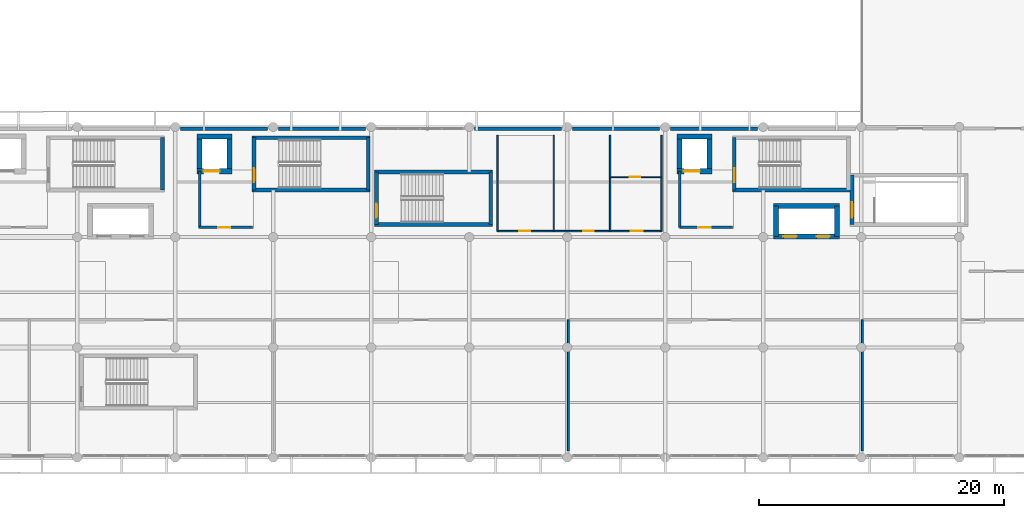
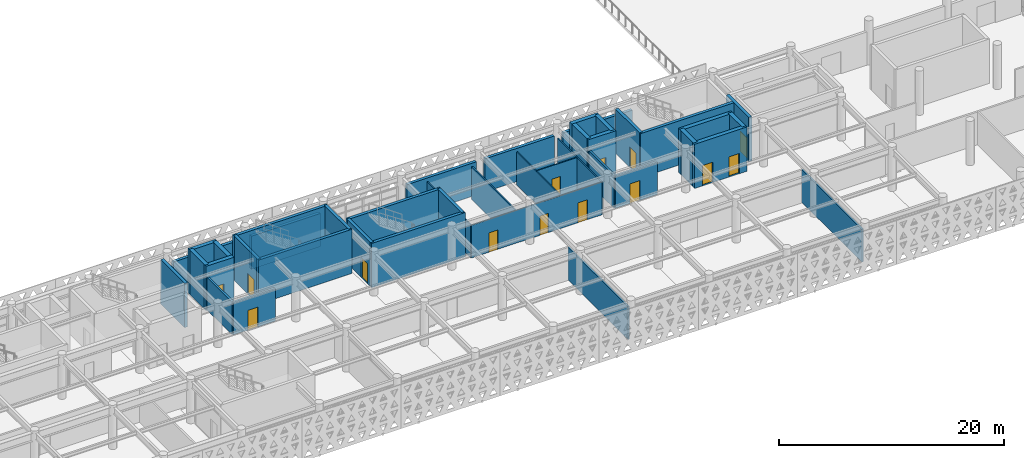
# One storey, part 23 of 33: 41 walls, 14 doors, 14 openings.
"""IFC4 building model written with IfcOpenShell, lengths in metres."""

from ifc_helpers import new_model, si_unit, direction, frame, frame_2d, origin, place, context, subcontext, project, spatial, rectangle, extrude, material, layer, layer_set, type_object, element, fill, save


model = new_model("IFC4")

# Units and contexts
model_context = context("Model", 3, precision=1e-05, world=origin(), true_north=direction((0.0, 1.0)))
body_context = subcontext(model_context, "Body", "Model", "MODEL_VIEW")
ifc_project = project(units=[si_unit("LENGTHUNIT", "METRE"), si_unit("AREAUNIT", "SQUARE_METRE"), si_unit("VOLUMEUNIT", "CUBIC_METRE"), si_unit("PLANEANGLEUNIT", "RADIAN"), si_unit("MASSUNIT", "GRAM", prefix="KILO")], contexts=[model_context])

# Site, building, storey
site_placement = place(None, origin())
site = spatial("IfcSite", under=ifc_project, at=site_placement, CompositionType="ELEMENT")
building_placement = place(site_placement, origin())
building = spatial("IfcBuilding", under=site, at=building_placement, Name="Tlacozan Convention Centre", CompositionType="ELEMENT")
storey_placement = place(building_placement, frame((0.0, 0.0, 16.199951171875)))
storey = spatial("IfcBuildingStorey", under=building, at=storey_placement, Name="L03", CompositionType="ELEMENT", Elevation=16.199951171875)

# Walls
ifc_material_1 = material(Name="Volcanic Cantera Stone Masonry", Category="masonry")
ifc_layer_1 = layer(ifc_material_1, 0.300048828125)
ifc_layer_set_1 = layer_set([ifc_layer_1], Name="Volcanic Cantera Stone Masonry")
wall_type_1 = type_object("IfcWallType", Name="Congress Spandrel Backup Wall 300", PredefinedType="SOLIDWALL", material=ifc_layer_set_1)
for number, where, z_axis, x_axis, name in (
    (1, (32.449951171875, 26.840087890625, 0.0), (0.0, 0.0, 1.0), (1.0, 0.0, 0.0), "L03 Congress Spandrel Backup Wall 300 128"),
    (2, (40.449951171875, 26.840087890625, 0.0), (0.0, 0.0, 1.0), (1.0, 0.0, 0.0), "L03 Congress Spandrel Backup Wall 300 129"),
    (3, (56.449951171875, 26.840087890625, 0.0), (0.0, 0.0, 1.0), (1.0, 0.0, 0.0), "L03 Congress Spandrel Backup Wall 300 130"),
    (4, (64.449951171875, 26.840087890625, 0.0), (0.0, 0.0, 1.0), (1.0, 0.0, 0.0), "L03 Congress Spandrel Backup Wall 300 131"),
    (5, (72.449951171875, 26.840087890625, 0.0), (0.0, 0.0, 1.0), (1.0, 0.0, 0.0), "L03 Congress Spandrel Backup Wall 300 132"),
):
    element("IfcWall", number, at=place(storey_placement, frame(where, z_axis=z_axis, x_axis=x_axis)), inside=storey, type_object=wall_type_1, Name=name, PredefinedType="SOLIDWALL", context=body_context, shape_type="SweptSolid", body=[
        extrude(rectangle(XDim=7.10009765625, YDim=0.300048828125, at=frame_2d((3.550048828125, 0.0))), origin(), (0.0, 0.0, 1.0), 3.60009765625),
    ])

# Wall, opening, door
ifc_material_2 = material(Name="Concrete C40/50", Category="concrete")
ifc_layer_2 = layer(ifc_material_2, 0.409912109375)
ifc_layer_set_2 = layer_set([ifc_layer_2], Name="Concrete C40/50")
wall_type_2 = type_object("IfcWallType", Name="Core Shear Wall RC 410", PredefinedType="SHEAR", material=ifc_layer_set_2)
wall_1_placement = place(storey_placement, frame((72.97509765625, 23.3798828125, 0.0), z_axis=(0.0, 0.0, 1.0), x_axis=(1.0, 0.0, 0.0)))
wall_1 = element("IfcWall", 6, at=wall_1_placement, inside=storey, type_object=wall_type_2, Name="L03 Core Shear Wall RC 410 147", PredefinedType="SHEAR", context=body_context, shape_type="SweptSolid", body=[
    extrude(rectangle(XDim=2.849853515625, YDim=0.409912109375, at=frame_2d((1.4248046875, 0.0))), origin(), (0.0, 0.0, 1.0), 4.800048828125),
])
opening_1_placement = place(wall_1_placement, frame((0.550048828125, 0.0, 0.0)))
opening_1 = element("IfcOpeningElement", 7, at=opening_1_placement, cuts=wall_1, Name="Opening LD-02", PredefinedType="OPENING", context=body_context, shape_type="SweptSolid", body=[
    extrude(rectangle(XDim=1.300048828125, YDim=2.25, at=frame_2d((0.64990234375, 1.125))), frame((0.0, 0.21484375, 0.0), z_axis=(0.0, -1.0, 0.0), x_axis=(1.0, 0.0, 0.0)), (0.0, 0.0, 1.0), 0.429931640625),
])
ifc_material_3 = material(Name="Brushed Stainless Steel Sliding Landing Door", Category="steel")
door_type_1 = type_object("IfcDoorType", Name="Firefighting Lift Sliding Door 1300x2250", OperationType="DOUBLE_DOOR_SLIDING", PredefinedType="DOOR", material=ifc_material_3)
door_1_placement = place(opening_1_placement, origin())
door_1 = element("IfcDoor", 8, at=door_1_placement, inside=storey, type_object=door_type_1, Name="L03 Firefighting Lift FL-02 Landing Door", OperationType="DOUBLE_DOOR_SLIDING", OverallHeight=2.25, OverallWidth=1.300048828125, PredefinedType="DOOR", context=body_context, shape_type="SweptSolid", body=[
    extrude(rectangle(XDim=1.300048828125, YDim=2.25, at=frame_2d((0.64990234375, 1.125))), frame((0.0, 0.02490234375, 0.0), z_axis=(0.0, -1.0, 0.0), x_axis=(1.0, 0.0, 0.0)), (0.0, 0.0, 1.0), 0.050048828125),
])
fill(opening_1, door_1)

# Walls
wall_2_placement = place(storey_placement, frame((72.97509765625, 26.219970703125, 0.0), z_axis=(0.0, 0.0, 1.0), x_axis=(1.0, 0.0, 0.0)))
element("IfcWall", 9, at=wall_2_placement, inside=storey, type_object=wall_type_2, Name="L03 Core Shear Wall RC 410 148", PredefinedType="SHEAR", context=body_context, shape_type="SweptSolid", body=[
    extrude(rectangle(XDim=2.849853515625, YDim=0.409912109375, at=frame_2d((1.4248046875, 0.0))), origin(), (0.0, 0.0, 1.0), 4.800048828125),
])
for number, where, z_axis, x_axis, name in (
    (10, (73.179931640625, 23.3798828125, 0.0), (0.0, 0.0, 1.0), (0.0, 1.0, 0.0), "L03 Core Shear Wall RC 410 149"),
    (11, (75.6201171875, 23.3798828125, 0.0), (0.0, 0.0, 1.0), (0.0, 1.0, 0.0), "L03 Core Shear Wall RC 410 150"),
):
    element("IfcWall", number, at=place(storey_placement, frame(where, z_axis=z_axis, x_axis=x_axis)), inside=storey, type_object=wall_type_2, Name=name, PredefinedType="SHEAR", context=body_context, shape_type="SweptSolid", body=[
        extrude(rectangle(XDim=2.840087890625, YDim=0.409912109375, at=frame_2d((1.419921875, 0.0))), origin(), (0.0, 0.0, 1.0), 4.800048828125),
    ])

# Wall, openings, doors
wall_3_placement = place(storey_placement, frame((80.85498046875, 18.06005859375, 0.0), z_axis=(0.0, 0.0, 1.0), x_axis=(1.0, 0.0, 0.0)))
wall_3 = element("IfcWall", 12, at=wall_3_placement, inside=storey, type_object=wall_type_2, Name="L03 Core Shear Wall RC 410 151", PredefinedType="SHEAR", context=body_context, shape_type="SweptSolid", body=[
    extrude(rectangle(XDim=5.39013671875, YDim=0.409912109375, at=frame_2d((2.695068359375, 0.0))), origin(), (0.0, 0.0, 1.0), 4.800048828125),
])
opening_2_placement = place(wall_3_placement, frame((0.794921875, 0.0, 0.0)))
opening_2 = element("IfcOpeningElement", 13, at=opening_2_placement, cuts=wall_3, Name="Opening LD-01", PredefinedType="OPENING", context=body_context, shape_type="SweptSolid", body=[
    extrude(rectangle(XDim=1.10009765625, YDim=2.199951171875, at=frame_2d((0.550048828125, 1.10009765625))), frame((0.0, 0.21484375, 0.0), z_axis=(0.0, -1.0, 0.0), x_axis=(1.0, 0.0, 0.0)), (0.0, 0.0, 1.0), 0.429931640625),
])
opening_3_placement = place(wall_3_placement, frame((3.4951171875, 0.0, 0.0)))
opening_3 = element("IfcOpeningElement", 14, at=opening_3_placement, cuts=wall_3, Name="Opening LD-01", PredefinedType="OPENING", context=body_context, shape_type="SweptSolid", body=[
    extrude(rectangle(XDim=1.10009765625, YDim=2.199951171875, at=frame_2d((0.550048828125, 1.10009765625))), frame((0.0, 0.21484375, 0.0), z_axis=(0.0, -1.0, 0.0), x_axis=(1.0, 0.0, 0.0)), (0.0, 0.0, 1.0), 0.429931640625),
])
door_type_2 = type_object("IfcDoorType", Name="Lift Sliding Landing Door 1100x2200", OperationType="DOUBLE_DOOR_SLIDING", PredefinedType="DOOR", material=ifc_material_3)
door_2_placement = place(opening_2_placement, origin())
door_2 = element("IfcDoor", 15, at=door_2_placement, inside=storey, type_object=door_type_2, Name="L03 Lift PL-03 Landing Door", OperationType="DOUBLE_DOOR_SLIDING", OverallHeight=2.199951171875, OverallWidth=1.10009765625, PredefinedType="DOOR", context=body_context, shape_type="SweptSolid", body=[
    extrude(rectangle(XDim=1.10009765625, YDim=2.199951171875, at=frame_2d((0.550048828125, 1.10009765625))), frame((0.0, 0.02490234375, 0.0), z_axis=(0.0, -1.0, 0.0), x_axis=(1.0, 0.0, 0.0)), (0.0, 0.0, 1.0), 0.050048828125),
])
fill(opening_2, door_2)
door_3_placement = place(opening_3_placement, origin())
door_3 = element("IfcDoor", 16, at=door_3_placement, inside=storey, type_object=door_type_2, Name="L03 Lift PL-04 Landing Door", OperationType="DOUBLE_DOOR_SLIDING", OverallHeight=2.199951171875, OverallWidth=1.10009765625, PredefinedType="DOOR", context=body_context, shape_type="SweptSolid", body=[
    extrude(rectangle(XDim=1.10009765625, YDim=2.199951171875, at=frame_2d((0.550048828125, 1.10009765625))), frame((0.0, 0.02490234375, 0.0), z_axis=(0.0, -1.0, 0.0), x_axis=(1.0, 0.0, 0.0)), (0.0, 0.0, 1.0), 0.050048828125),
])
fill(opening_3, door_3)

# Walls
wall_4_placement = place(storey_placement, frame((80.85498046875, 20.5400390625, 0.0), z_axis=(0.0, 0.0, 1.0), x_axis=(1.0, 0.0, 0.0)))
element("IfcWall", 17, at=wall_4_placement, inside=storey, type_object=wall_type_2, Name="L03 Core Shear Wall RC 410 152", PredefinedType="SHEAR", context=body_context, shape_type="SweptSolid", body=[
    extrude(rectangle(XDim=5.39013671875, YDim=0.409912109375, at=frame_2d((2.695068359375, 0.0))), origin(), (0.0, 0.0, 1.0), 4.800048828125),
])
for number, where, z_axis, x_axis, name in (
    (18, (81.06005859375, 18.06005859375, 0.0), (0.0, 0.0, 1.0), (0.0, 1.0, 0.0), "L03 Core Shear Wall RC 410 153"),
    (19, (86.0400390625, 18.06005859375, 0.0), (0.0, 0.0, 1.0), (0.0, 1.0, 0.0), "L03 Core Shear Wall RC 410 154"),
):
    element("IfcWall", number, at=place(storey_placement, frame(where, z_axis=z_axis, x_axis=x_axis)), inside=storey, type_object=wall_type_2, Name=name, PredefinedType="SHEAR", context=body_context, shape_type="SweptSolid", body=[
        extrude(rectangle(XDim=2.47998046875, YDim=0.409912109375, at=frame_2d((1.239990234375, 0.0))), origin(), (0.0, 0.0, 1.0), 4.800048828125),
    ])

# Wall, opening, door
wall_5_placement = place(storey_placement, frame((33.77490234375, 23.3798828125, 0.0), z_axis=(0.0, 0.0, 1.0), x_axis=(1.0, 0.0, 0.0)))
wall_5 = element("IfcWall", 20, at=wall_5_placement, inside=storey, type_object=wall_type_2, Name="L03 Core Shear Wall RC 410 215", PredefinedType="SHEAR", context=body_context, shape_type="SweptSolid", body=[
    extrude(rectangle(XDim=2.85009765625, YDim=0.409912109375, at=frame_2d((1.425048828125, 0.0))), origin(), (0.0, 0.0, 1.0), 4.800048828125),
])
opening_4_placement = place(wall_5_placement, frame((0.550048828125, 0.0, 0.0)))
opening_4 = element("IfcOpeningElement", 21, at=opening_4_placement, cuts=wall_5, Name="Opening LD-02", PredefinedType="OPENING", context=body_context, shape_type="SweptSolid", body=[
    extrude(rectangle(XDim=1.300048828125, YDim=2.25, at=frame_2d((0.64990234375, 1.125))), frame((0.0, 0.21484375, 0.0), z_axis=(0.0, -1.0, 0.0), x_axis=(1.0, 0.0, 0.0)), (0.0, 0.0, 1.0), 0.429931640625),
])
door_4_placement = place(opening_4_placement, origin())
door_4 = element("IfcDoor", 22, at=door_4_placement, inside=storey, type_object=door_type_1, Name="L03 Firefighting Lift FL-03 Landing Door", OperationType="DOUBLE_DOOR_SLIDING", OverallHeight=2.25, OverallWidth=1.300048828125, PredefinedType="DOOR", context=body_context, shape_type="SweptSolid", body=[
    extrude(rectangle(XDim=1.300048828125, YDim=2.25, at=frame_2d((0.64990234375, 1.125))), frame((0.0, 0.02490234375, 0.0), z_axis=(0.0, -1.0, 0.0), x_axis=(1.0, 0.0, 0.0)), (0.0, 0.0, 1.0), 0.050048828125),
])
fill(opening_4, door_4)

# Walls
wall_6_placement = place(storey_placement, frame((33.77490234375, 26.219970703125, 0.0), z_axis=(0.0, 0.0, 1.0), x_axis=(1.0, 0.0, 0.0)))
element("IfcWall", 23, at=wall_6_placement, inside=storey, type_object=wall_type_2, Name="L03 Core Shear Wall RC 410 216", PredefinedType="SHEAR", context=body_context, shape_type="SweptSolid", body=[
    extrude(rectangle(XDim=2.85009765625, YDim=0.409912109375, at=frame_2d((1.425048828125, 0.0))), origin(), (0.0, 0.0, 1.0), 4.800048828125),
])
for number, where, z_axis, x_axis, name in (
    (24, (33.97998046875, 23.3798828125, 0.0), (0.0, 0.0, 1.0), (0.0, 1.0, 0.0), "L03 Core Shear Wall RC 410 217"),
    (25, (36.419921875, 23.3798828125, 0.0), (0.0, 0.0, 1.0), (0.0, 1.0, 0.0), "L03 Core Shear Wall RC 410 218"),
):
    element("IfcWall", number, at=place(storey_placement, frame(where, z_axis=z_axis, x_axis=x_axis)), inside=storey, type_object=wall_type_2, Name=name, PredefinedType="SHEAR", context=body_context, shape_type="SweptSolid", body=[
        extrude(rectangle(XDim=2.840087890625, YDim=0.409912109375, at=frame_2d((1.419921875, 0.0))), origin(), (0.0, 0.0, 1.0), 4.800048828125),
    ])

# Wall, opening, door
ifc_material_4 = material(Name="Fire-Rated Gypsum Stud Partition Assembly")
ifc_layer_3 = layer(ifc_material_4, 0.2099609375)
ifc_layer_set_3 = layer_set([ifc_layer_3], Name="Fire-Rated Gypsum Stud Partition Assembly")
wall_type_3 = type_object("IfcWallType", Name="Firefighting Lobby Rated Wall 210", PredefinedType="PARTITIONING", material=ifc_layer_set_3)
wall_7_placement = place(storey_placement, frame((73.199951171875, 18.800048828125, 0.0), z_axis=(0.0, 0.0, 1.0), x_axis=(1.0, 0.0, 0.0)))
wall_7 = element("IfcWall", 26, at=wall_7_placement, inside=storey, type_object=wall_type_3, Name="L03 Firefighting Lobby Rated Wall 210 145", PredefinedType="PARTITIONING", context=body_context, shape_type="SweptSolid", body=[
    extrude(rectangle(XDim=4.300048828125, YDim=0.2099609375, at=frame_2d((2.14990234375, 0.0))), origin(), (0.0, 0.0, 1.0), 3.550048828125),
])
opening_5_placement = place(wall_7_placement, frame((1.5, 0.0, 0.0)))
opening_5 = element("IfcOpeningElement", 27, at=opening_5_placement, cuts=wall_7, Name="Opening FD-01", PredefinedType="OPENING", context=body_context, shape_type="SweptSolid", body=[
    extrude(rectangle(XDim=1.0, YDim=2.14990234375, at=frame_2d((0.5, 1.074951171875))), frame((0.0, 0.114990234375, 0.0), z_axis=(0.0, -1.0, 0.0), x_axis=(1.0, 0.0, 0.0)), (0.0, 0.0, 1.0), 0.22998046875),
])
ifc_material_5 = material(Name="Fire-Rated Insulated Steel Door Leaf", Category="steel")
door_type_3 = type_object("IfcDoorType", Name="Fire Door Single 1000x2150 FD90", OperationType="NOTDEFINED", PredefinedType="DOOR", material=ifc_material_5)
door_5_placement = place(opening_5_placement, origin())
door_5 = element("IfcDoor", 28, at=door_5_placement, inside=storey, type_object=door_type_3, Name="L03 CORE-2 Firefighting Lobby Entry Door", OperationType="SINGLE_SWING_LEFT", OverallHeight=2.14990234375, OverallWidth=1.0, PredefinedType="DOOR", context=body_context, shape_type="SweptSolid", body=[
    extrude(rectangle(XDim=1.0, YDim=2.14990234375, at=frame_2d((0.5, 1.074951171875))), frame((0.0, 0.02490234375, 0.0), z_axis=(0.0, -1.0, 0.0), x_axis=(1.0, 0.0, 0.0)), (0.0, 0.0, 1.0), 0.050048828125),
])
fill(opening_5, door_5)

# Wall
wall_8_placement = place(storey_placement, frame((73.199951171875, 18.800048828125, 0.0), z_axis=(0.0, 0.0, 1.0), x_axis=(0.0, 1.0, 0.0)))
element("IfcWall", 29, at=wall_8_placement, inside=storey, type_object=wall_type_3, Name="L03 Firefighting Lobby Rated Wall 210 146", PredefinedType="PARTITIONING", context=body_context, shape_type="SweptSolid", body=[
    extrude(rectangle(XDim=4.599853515625, YDim=0.2099609375, at=frame_2d((2.2998046875, 0.0))), origin(), (0.0, 0.0, 1.0), 3.550048828125),
])

# Wall, opening, door
wall_9_placement = place(storey_placement, frame((34.0, 18.800048828125, 0.0), z_axis=(0.0, 0.0, 1.0), x_axis=(1.0, 0.0, 0.0)))
wall_9 = element("IfcWall", 30, at=wall_9_placement, inside=storey, type_object=wall_type_3, Name="L03 Firefighting Lobby Rated Wall 210 213", PredefinedType="PARTITIONING", context=body_context, shape_type="SweptSolid", body=[
    extrude(rectangle(XDim=4.300048828125, YDim=0.2099609375, at=frame_2d((2.14990234375, 0.0))), origin(), (0.0, 0.0, 1.0), 3.550048828125),
])
opening_6_placement = place(wall_9_placement, frame((1.5, 0.0, 0.0)))
opening_6 = element("IfcOpeningElement", 31, at=opening_6_placement, cuts=wall_9, Name="Opening FD-01", PredefinedType="OPENING", context=body_context, shape_type="SweptSolid", body=[
    extrude(rectangle(XDim=1.0, YDim=2.14990234375, at=frame_2d((0.5, 1.074951171875))), frame((0.0, 0.114990234375, 0.0), z_axis=(0.0, -1.0, 0.0), x_axis=(1.0, 0.0, 0.0)), (0.0, 0.0, 1.0), 0.22998046875),
])
door_6_placement = place(opening_6_placement, origin())
door_6 = element("IfcDoor", 32, at=door_6_placement, inside=storey, type_object=door_type_3, Name="L03 CORE-3 Firefighting Lobby Entry Door", OperationType="SINGLE_SWING_LEFT", OverallHeight=2.14990234375, OverallWidth=1.0, PredefinedType="DOOR", context=body_context, shape_type="SweptSolid", body=[
    extrude(rectangle(XDim=1.0, YDim=2.14990234375, at=frame_2d((0.5, 1.074951171875))), frame((0.0, 0.02490234375, 0.0), z_axis=(0.0, -1.0, 0.0), x_axis=(1.0, 0.0, 0.0)), (0.0, 0.0, 1.0), 0.050048828125),
])
fill(opening_6, door_6)

# Walls
wall_10_placement = place(storey_placement, frame((34.0, 18.800048828125, 0.0), z_axis=(0.0, 0.0, 1.0), x_axis=(0.0, 1.0, 0.0)))
element("IfcWall", 33, at=wall_10_placement, inside=storey, type_object=wall_type_3, Name="L03 Firefighting Lobby Rated Wall 210 214", PredefinedType="PARTITIONING", context=body_context, shape_type="SweptSolid", body=[
    extrude(rectangle(XDim=4.599853515625, YDim=0.2099609375, at=frame_2d((2.2998046875, 0.0))), origin(), (0.0, 0.0, 1.0), 3.550048828125),
])
ifc_material_6 = material(Name="Acoustic Double-Stud Partition Assembly")
ifc_layer_4 = layer(ifc_material_6, 0.159912109375)
ifc_layer_set_4 = layer_set([ifc_layer_4], Name="Acoustic Double-Stud Partition Assembly")
wall_type_4 = type_object("IfcWallType", Name="Meeting Acoustic Partition 160", PredefinedType="PARTITIONING", material=ifc_layer_set_4)
for number, where, z_axis, x_axis, name in (
    (34, (64.10009765625, 0.550048828125, 0.0), (0.0, 0.0, 1.0), (0.0, 1.0, 0.0), "L03 Meeting Acoustic Partition 160 604"),
    (35, (88.10009765625, 0.550048828125, 0.0), (0.0, 0.0, 1.0), (0.0, 1.0, 0.0), "L03 Meeting Acoustic Partition 160 605"),
):
    element("IfcWall", number, at=place(storey_placement, frame(where, z_axis=z_axis, x_axis=x_axis)), inside=storey, type_object=wall_type_4, Name=name, PredefinedType="PARTITIONING", context=body_context, shape_type="SweptSolid", body=[
        extrude(rectangle(XDim=10.699951171875, YDim=0.159912109375, at=frame_2d((5.35009765625, 0.0))), origin(), (0.0, 0.0, 1.0), 3.550048828125),
    ])

# Wall, openings, doors
ifc_layer_5 = layer(ifc_material_6, 0.1201171875)
ifc_layer_set_5 = layer_set([ifc_layer_5], Name="Acoustic Double-Stud Partition Assembly")
wall_type_5 = type_object("IfcWallType", Name="Sanitary Tile Partition 120", PredefinedType="PARTITIONING", material=ifc_layer_set_5)
wall_11_placement = place(storey_placement, frame((58.300048828125, 18.5, 0.0), z_axis=(0.0, 0.0, 1.0), x_axis=(1.0, 0.0, 0.0)))
wall_11 = element("IfcWall", 36, at=wall_11_placement, inside=storey, type_object=wall_type_5, Name="L03 Sanitary Tile Partition 120 549", PredefinedType="PARTITIONING", context=body_context, shape_type="SweptSolid", body=[
    extrude(rectangle(XDim=13.39990234375, YDim=0.1201171875, at=frame_2d((6.699951171875, 0.0))), origin(), (0.0, 0.0, 1.0), 3.550048828125),
])
opening_7_placement = place(wall_11_placement, frame((1.800048828125, 0.0, 0.0)))
opening_7 = element("IfcOpeningElement", 37, at=opening_7_placement, cuts=wall_11, Name="Opening ID-05", PredefinedType="OPENING", context=body_context, shape_type="SweptSolid", body=[
    extrude(rectangle(XDim=0.8798828125, YDim=2.10009765625, at=frame_2d((0.43994140625, 1.050048828125))), frame((0.0, 0.070068359375, 0.0), z_axis=(0.0, -1.0, 0.0), x_axis=(1.0, 0.0, 0.0)), (0.0, 0.0, 1.0), 0.14013671875),
])
opening_8_placement = place(wall_11_placement, frame((7.0, 0.0, 0.0)))
opening_8 = element("IfcOpeningElement", 38, at=opening_8_placement, cuts=wall_11, Name="Opening ID-05", PredefinedType="OPENING", context=body_context, shape_type="SweptSolid", body=[
    extrude(rectangle(XDim=0.8798828125, YDim=2.10009765625, at=frame_2d((0.43994140625, 1.050048828125))), frame((0.0, 0.070068359375, 0.0), z_axis=(0.0, -1.0, 0.0), x_axis=(1.0, 0.0, 0.0)), (0.0, 0.0, 1.0), 0.14013671875),
])
opening_9_placement = place(wall_11_placement, frame((10.89990234375, 0.0, 0.0)))
opening_9 = element("IfcOpeningElement", 39, at=opening_9_placement, cuts=wall_11, Name="Opening ID-04", PredefinedType="OPENING", context=body_context, shape_type="SweptSolid", body=[
    extrude(rectangle(XDim=0.97998046875, YDim=2.14990234375, at=frame_2d((0.489990234375, 1.074951171875))), frame((0.0, 0.070068359375, 0.0), z_axis=(0.0, -1.0, 0.0), x_axis=(1.0, 0.0, 0.0)), (0.0, 0.0, 1.0), 0.14013671875),
])
ifc_material_7 = material(Name="Acoustic Solid-Core Oak Veneer Door")
door_type_4 = type_object("IfcDoorType", Name="Accessible Restroom Door 980x2150", OperationType="NOTDEFINED", PredefinedType="DOOR", material=ifc_material_7)
door_7_placement = place(opening_9_placement, origin())
door_7 = element("IfcDoor", 40, at=door_7_placement, inside=storey, type_object=door_type_4, Name="L03 Accessible Restroom Door", OperationType="SINGLE_SWING_LEFT", OverallHeight=2.14990234375, OverallWidth=0.97998046875, PredefinedType="DOOR", context=body_context, shape_type="SweptSolid", body=[
    extrude(rectangle(XDim=0.97998046875, YDim=2.14990234375, at=frame_2d((0.489990234375, 1.074951171875))), frame((0.0, 0.02490234375, 0.0), z_axis=(0.0, -1.0, 0.0), x_axis=(1.0, 0.0, 0.0)), (0.0, 0.0, 1.0), 0.050048828125),
])
fill(opening_9, door_7)
door_type_5 = type_object("IfcDoorType", Name="Restroom Single Door 880x2100", OperationType="NOTDEFINED", PredefinedType="DOOR", material=ifc_material_7)
door_8_placement = place(opening_7_placement, origin())
door_8 = element("IfcDoor", 41, at=door_8_placement, inside=storey, type_object=door_type_5, Name="L03 Male Restroom Door", OperationType="SINGLE_SWING_LEFT", OverallHeight=2.10009765625, OverallWidth=0.8798828125, PredefinedType="DOOR", context=body_context, shape_type="SweptSolid", body=[
    extrude(rectangle(XDim=0.8798828125, YDim=2.10009765625, at=frame_2d((0.43994140625, 1.050048828125))), frame((0.0, 0.02490234375, 0.0), z_axis=(0.0, -1.0, 0.0), x_axis=(1.0, 0.0, 0.0)), (0.0, 0.0, 1.0), 0.050048828125),
])
fill(opening_7, door_8)
door_9_placement = place(opening_8_placement, origin())
door_9 = element("IfcDoor", 42, at=door_9_placement, inside=storey, type_object=door_type_5, Name="L03 Female Restroom Door", OperationType="SINGLE_SWING_RIGHT", OverallHeight=2.10009765625, OverallWidth=0.8798828125, PredefinedType="DOOR", context=body_context, shape_type="SweptSolid", body=[
    extrude(rectangle(XDim=0.8798828125, YDim=2.10009765625, at=frame_2d((0.43994140625, 1.050048828125))), frame((0.0, 0.02490234375, 0.0), z_axis=(0.0, -1.0, 0.0), x_axis=(1.0, 0.0, 0.0)), (0.0, 0.0, 1.0), 0.050048828125),
])
fill(opening_8, door_9)

# Walls
for number, where, z_axis, x_axis, name in (
    (43, (58.300048828125, 18.5, 0.0), (0.0, 0.0, 1.0), (0.0, 1.0, 0.0), "L03 Sanitary Tile Partition 120 550"),
    (44, (62.89990234375, 18.5, 0.0), (0.0, 0.0, 1.0), (0.0, 1.0, 0.0), "L03 Sanitary Tile Partition 120 551"),
    (45, (67.5, 18.5, 0.0), (0.0, 0.0, 1.0), (0.0, 1.0, 0.0), "L03 Sanitary Tile Partition 120 552"),
    (46, (71.699951171875, 18.5, 0.0), (0.0, 0.0, 1.0), (0.0, 1.0, 0.0), "L03 Sanitary Tile Partition 120 553"),
):
    element("IfcWall", number, at=place(storey_placement, frame(where, z_axis=z_axis, x_axis=x_axis)), inside=storey, type_object=wall_type_5, Name=name, PredefinedType="PARTITIONING", context=body_context, shape_type="SweptSolid", body=[
        extrude(rectangle(XDim=7.800048828125, YDim=0.1201171875, at=frame_2d((3.89990234375, 0.0))), origin(), (0.0, 0.0, 1.0), 3.550048828125),
    ])

# Wall, opening, door
ifc_layer_6 = layer(ifc_material_4, 0.10009765625)
ifc_layer_set_6 = layer_set([ifc_layer_6], Name="Fire-Rated Gypsum Stud Partition Assembly")
wall_type_6 = type_object("IfcWallType", Name="Service Duct Partition 100", PredefinedType="PARTITIONING", material=ifc_layer_set_6)
wall_12_placement = place(storey_placement, frame((67.5, 22.89990234375, 0.0), z_axis=(0.0, 0.0, 1.0), x_axis=(1.0, 0.0, 0.0)))
wall_12 = element("IfcWall", 47, at=wall_12_placement, inside=storey, type_object=wall_type_6, Name="L03 Service Duct Partition 100 554", PredefinedType="PARTITIONING", context=body_context, shape_type="SweptSolid", body=[
    extrude(rectangle(XDim=4.199951171875, YDim=0.10009765625, at=frame_2d((2.10009765625, 0.0))), origin(), (0.0, 0.0, 1.0), 3.550048828125),
])
opening_10_placement = place(wall_12_placement, frame((1.60009765625, 0.0, 0.0)))
opening_10 = element("IfcOpeningElement", 48, at=opening_10_placement, cuts=wall_12, Name="Opening ID-06", PredefinedType="OPENING", context=body_context, shape_type="SweptSolid", body=[
    extrude(rectangle(XDim=0.85009765625, YDim=2.10009765625, at=frame_2d((0.425048828125, 1.050048828125))), frame((0.0, 0.06005859375, 0.0), z_axis=(0.0, -1.0, 0.0), x_axis=(1.0, 0.0, 0.0)), (0.0, 0.0, 1.0), 0.1201171875),
])
door_type_6 = type_object("IfcDoorType", Name="Service Closet Door 850x2100", OperationType="NOTDEFINED", PredefinedType="DOOR", material=ifc_material_7)
door_10_placement = place(opening_10_placement, origin())
door_10 = element("IfcDoor", 49, at=door_10_placement, inside=storey, type_object=door_type_6, Name="L03 Housekeeping Closet Door", OperationType="SINGLE_SWING_RIGHT", OverallHeight=2.10009765625, OverallWidth=0.85009765625, PredefinedType="DOOR", context=body_context, shape_type="SweptSolid", body=[
    extrude(rectangle(XDim=0.85009765625, YDim=2.10009765625, at=frame_2d((0.425048828125, 1.050048828125))), frame((0.0, 0.02490234375, 0.0), z_axis=(0.0, -1.0, 0.0), x_axis=(1.0, 0.0, 0.0)), (0.0, 0.0, 1.0), 0.050048828125),
])
fill(opening_10, door_10)

# Walls
ifc_layer_7 = layer(ifc_material_2, 0.31005859375)
ifc_layer_set_7 = layer_set([ifc_layer_7], Name="Concrete C40/50")
wall_type_7 = type_object("IfcWallType", Name="Stair Shaft Shear Wall RC 310", PredefinedType="SHEAR", material=ifc_layer_set_7)
wall_13_placement = place(storey_placement, frame((30.9599609375, 21.840087890625, 0.0), z_axis=(0.0, 0.0, 1.0), x_axis=(0.0, 1.0, 0.0)))
element("IfcWall", 50, at=wall_13_placement, inside=storey, type_object=wall_type_7, Name="L03 Stair Shaft Shear Wall RC 310 60", PredefinedType="SHEAR", context=body_context, shape_type="SweptSolid", body=[
    extrude(rectangle(XDim=4.280029296875, YDim=0.31005859375, at=frame_2d((2.14013671875, 0.0))), origin(), (0.0, 0.0, 1.0), 4.800048828125),
])
wall_14_placement = place(storey_placement, frame((77.485107421875, 21.840087890625, 0.0), z_axis=(0.0, 0.0, 1.0), x_axis=(1.0, 0.0, 0.0)))
element("IfcWall", 51, at=wall_14_placement, inside=storey, type_object=wall_type_7, Name="L03 Stair Shaft Shear Wall RC 310 141", PredefinedType="SHEAR", context=body_context, shape_type="SweptSolid", body=[
    extrude(rectangle(XDim=9.6298828125, YDim=0.31005859375, at=frame_2d((4.81494140625, 0.0))), origin(), (0.0, 0.0, 1.0), 4.800048828125),
])

# Wall, opening, door
wall_15_placement = place(storey_placement, frame((77.639892578125, 21.840087890625, 0.0), z_axis=(0.0, 0.0, 1.0), x_axis=(0.0, 1.0, 0.0)))
wall_15 = element("IfcWall", 52, at=wall_15_placement, inside=storey, type_object=wall_type_7, Name="L03 Stair Shaft Shear Wall RC 310 143", PredefinedType="SHEAR", context=body_context, shape_type="SweptSolid", body=[
    extrude(rectangle(XDim=4.280029296875, YDim=0.31005859375, at=frame_2d((2.14013671875, 0.0))), origin(), (0.0, 0.0, 1.0), 4.800048828125),
])
opening_11_placement = place(wall_15_placement, frame((0.64990234375, 0.0, 0.0)))
opening_11 = element("IfcOpeningElement", 53, at=opening_11_placement, cuts=wall_15, Name="Opening FD-02", PredefinedType="OPENING", context=body_context, shape_type="SweptSolid", body=[
    extrude(rectangle(XDim=1.14990234375, YDim=2.199951171875, at=frame_2d((0.574951171875, 1.10009765625))), frame((0.0, 0.1650390625, 0.0), z_axis=(0.0, -1.0, 0.0), x_axis=(1.0, 0.0, 0.0)), (0.0, 0.0, 1.0), 0.330078125),
])
door_type_7 = type_object("IfcDoorType", Name="Fire Door Stair 1150x2200 FD90", OperationType="NOTDEFINED", PredefinedType="DOOR", material=ifc_material_5)
door_11_placement = place(opening_11_placement, origin())
door_11 = element("IfcDoor", 54, at=door_11_placement, inside=storey, type_object=door_type_7, Name="L03 Stair ST-02 Fire Door", OperationType="SINGLE_SWING_RIGHT", OverallHeight=2.199951171875, OverallWidth=1.14990234375, PredefinedType="DOOR", context=body_context, shape_type="SweptSolid", body=[
    extrude(rectangle(XDim=1.14990234375, YDim=2.199951171875, at=frame_2d((0.574951171875, 1.10009765625))), frame((0.0, 0.02490234375, 0.0), z_axis=(0.0, -1.0, 0.0), x_axis=(1.0, 0.0, 0.0)), (0.0, 0.0, 1.0), 0.050048828125),
])
fill(opening_11, door_11)

# Walls
for number, where, z_axis, x_axis, name in (
    (55, (38.284912109375, 21.840087890625, 0.0), (0.0, 0.0, 1.0), (1.0, 0.0, 0.0), "L03 Stair Shaft Shear Wall RC 310 209"),
    (56, (38.284912109375, 26.1201171875, 0.0), (0.0, 0.0, 1.0), (1.0, 0.0, 0.0), "L03 Stair Shaft Shear Wall RC 310 210"),
):
    element("IfcWall", number, at=place(storey_placement, frame(where, z_axis=z_axis, x_axis=x_axis)), inside=storey, type_object=wall_type_7, Name=name, PredefinedType="SHEAR", context=body_context, shape_type="SweptSolid", body=[
        extrude(rectangle(XDim=9.630126953125, YDim=0.31005859375, at=frame_2d((4.81494140625, 0.0))), origin(), (0.0, 0.0, 1.0), 4.800048828125),
    ])

# Wall, opening, door
wall_16_placement = place(storey_placement, frame((38.43994140625, 21.840087890625, 0.0), z_axis=(0.0, 0.0, 1.0), x_axis=(0.0, 1.0, 0.0)))
wall_16 = element("IfcWall", 57, at=wall_16_placement, inside=storey, type_object=wall_type_7, Name="L03 Stair Shaft Shear Wall RC 310 211", PredefinedType="SHEAR", context=body_context, shape_type="SweptSolid", body=[
    extrude(rectangle(XDim=4.280029296875, YDim=0.31005859375, at=frame_2d((2.14013671875, 0.0))), origin(), (0.0, 0.0, 1.0), 4.800048828125),
])
opening_12_placement = place(wall_16_placement, frame((0.64990234375, 0.0, 0.0)))
opening_12 = element("IfcOpeningElement", 58, at=opening_12_placement, cuts=wall_16, Name="Opening FD-02", PredefinedType="OPENING", context=body_context, shape_type="SweptSolid", body=[
    extrude(rectangle(XDim=1.14990234375, YDim=2.199951171875, at=frame_2d((0.574951171875, 1.10009765625))), frame((0.0, 0.1650390625, 0.0), z_axis=(0.0, -1.0, 0.0), x_axis=(1.0, 0.0, 0.0)), (0.0, 0.0, 1.0), 0.330078125),
])
door_12_placement = place(opening_12_placement, origin())
door_12 = element("IfcDoor", 59, at=door_12_placement, inside=storey, type_object=door_type_7, Name="L03 Stair ST-04 Fire Door", OperationType="SINGLE_SWING_RIGHT", OverallHeight=2.199951171875, OverallWidth=1.14990234375, PredefinedType="DOOR", context=body_context, shape_type="SweptSolid", body=[
    extrude(rectangle(XDim=1.14990234375, YDim=2.199951171875, at=frame_2d((0.574951171875, 1.10009765625))), frame((0.0, 0.02490234375, 0.0), z_axis=(0.0, -1.0, 0.0), x_axis=(1.0, 0.0, 0.0)), (0.0, 0.0, 1.0), 0.050048828125),
])
fill(opening_12, door_12)

# Walls
wall_17_placement = place(storey_placement, frame((47.760009765625, 21.840087890625, 0.0), z_axis=(0.0, 0.0, 1.0), x_axis=(0.0, 1.0, 0.0)))
element("IfcWall", 60, at=wall_17_placement, inside=storey, type_object=wall_type_7, Name="L03 Stair Shaft Shear Wall RC 310 212", PredefinedType="SHEAR", context=body_context, shape_type="SweptSolid", body=[
    extrude(rectangle(XDim=4.280029296875, YDim=0.31005859375, at=frame_2d((2.14013671875, 0.0))), origin(), (0.0, 0.0, 1.0), 4.800048828125),
])
for number, where, z_axis, x_axis, name in (
    (61, (48.284912109375, 19.0400390625, 0.0), (0.0, 0.0, 1.0), (1.0, 0.0, 0.0), "L03 Stair Shaft Shear Wall RC 310 325"),
    (62, (48.284912109375, 23.320068359375, 0.0), (0.0, 0.0, 1.0), (1.0, 0.0, 0.0), "L03 Stair Shaft Shear Wall RC 310 326"),
):
    element("IfcWall", number, at=place(storey_placement, frame(where, z_axis=z_axis, x_axis=x_axis)), inside=storey, type_object=wall_type_7, Name=name, PredefinedType="SHEAR", context=body_context, shape_type="SweptSolid", body=[
        extrude(rectangle(XDim=9.630126953125, YDim=0.31005859375, at=frame_2d((4.81494140625, 0.0))), origin(), (0.0, 0.0, 1.0), 4.800048828125),
    ])

# Wall, opening, door
wall_18_placement = place(storey_placement, frame((48.43994140625, 19.0400390625, 0.0), z_axis=(0.0, 0.0, 1.0), x_axis=(0.0, 1.0, 0.0)))
wall_18 = element("IfcWall", 63, at=wall_18_placement, inside=storey, type_object=wall_type_7, Name="L03 Stair Shaft Shear Wall RC 310 327", PredefinedType="SHEAR", context=body_context, shape_type="SweptSolid", body=[
    extrude(rectangle(XDim=4.280029296875, YDim=0.31005859375, at=frame_2d((2.14013671875, 0.0))), origin(), (0.0, 0.0, 1.0), 4.800048828125),
])
opening_13_placement = place(wall_18_placement, frame((0.550048828125, 0.0, 0.0)))
opening_13 = element("IfcOpeningElement", 64, at=opening_13_placement, cuts=wall_18, Name="Opening FD-02", PredefinedType="OPENING", context=body_context, shape_type="SweptSolid", body=[
    extrude(rectangle(XDim=1.14990234375, YDim=2.199951171875, at=frame_2d((0.574951171875, 1.10009765625))), frame((0.0, 0.1650390625, 0.0), z_axis=(0.0, -1.0, 0.0), x_axis=(1.0, 0.0, 0.0)), (0.0, 0.0, 1.0), 0.330078125),
])
door_13_placement = place(opening_13_placement, origin())
door_13 = element("IfcDoor", 65, at=door_13_placement, inside=storey, type_object=door_type_7, Name="L03 Stair ST-14 Access Door", OperationType="SINGLE_SWING_RIGHT", OverallHeight=2.199951171875, OverallWidth=1.14990234375, PredefinedType="DOOR", context=body_context, shape_type="SweptSolid", body=[
    extrude(rectangle(XDim=1.14990234375, YDim=2.199951171875, at=frame_2d((0.574951171875, 1.10009765625))), frame((0.0, 0.02490234375, 0.0), z_axis=(0.0, -1.0, 0.0), x_axis=(1.0, 0.0, 0.0)), (0.0, 0.0, 1.0), 0.050048828125),
])
fill(opening_13, door_13)

# Wall
wall_19_placement = place(storey_placement, frame((57.760009765625, 19.0400390625, 0.0), z_axis=(0.0, 0.0, 1.0), x_axis=(0.0, 1.0, 0.0)))
element("IfcWall", 66, at=wall_19_placement, inside=storey, type_object=wall_type_7, Name="L03 Stair Shaft Shear Wall RC 310 328", PredefinedType="SHEAR", context=body_context, shape_type="SweptSolid", body=[
    extrude(rectangle(XDim=4.280029296875, YDim=0.31005859375, at=frame_2d((2.14013671875, 0.0))), origin(), (0.0, 0.0, 1.0), 4.800048828125),
])

# Wall, opening, door
wall_20_placement = place(storey_placement, frame((87.239990234375, 19.0400390625, 0.0), z_axis=(0.0, 0.0, 1.0), x_axis=(0.0, 1.0, 0.0)))
wall_20 = element("IfcWall", 67, at=wall_20_placement, inside=storey, type_object=wall_type_7, Name="L03 Stair Shaft Shear Wall RC 310 351", PredefinedType="SHEAR", context=body_context, shape_type="SweptSolid", body=[
    extrude(rectangle(XDim=4.02001953125, YDim=0.31005859375, at=frame_2d((2.010009765625, 0.0))), origin(), (0.0, 0.0, 1.0), 4.800048828125),
])
opening_14_placement = place(wall_20_placement, frame((0.550048828125, 0.0, 0.0)))
opening_14 = element("IfcOpeningElement", 68, at=opening_14_placement, cuts=wall_20, Name="Opening FD-05", PredefinedType="OPENING", context=body_context, shape_type="SweptSolid", body=[
    extrude(rectangle(XDim=1.25, YDim=2.199951171875, at=frame_2d((0.625, 1.10009765625))), frame((0.0, 0.1650390625, 0.0), z_axis=(0.0, -1.0, 0.0), x_axis=(1.0, 0.0, 0.0)), (0.0, 0.0, 1.0), 0.330078125),
])
door_type_8 = type_object("IfcDoorType", Name="Fire Door Wide Stair 1250x2200 FD90", OperationType="NOTDEFINED", PredefinedType="DOOR", material=ifc_material_5)
door_14_placement = place(opening_14_placement, origin())
door_14 = element("IfcDoor", 69, at=door_14_placement, inside=storey, type_object=door_type_8, Name="L03 Stair ST-15 Access Door", OperationType="SINGLE_SWING_RIGHT", OverallHeight=2.199951171875, OverallWidth=1.25, PredefinedType="DOOR", context=body_context, shape_type="SweptSolid", body=[
    extrude(rectangle(XDim=1.25, YDim=2.199951171875, at=frame_2d((0.625, 1.10009765625))), frame((0.0, 0.02490234375, 0.0), z_axis=(0.0, -1.0, 0.0), x_axis=(1.0, 0.0, 0.0)), (0.0, 0.0, 1.0), 0.050048828125),
])
fill(opening_14, door_14)

save(model, "model.ifc")
